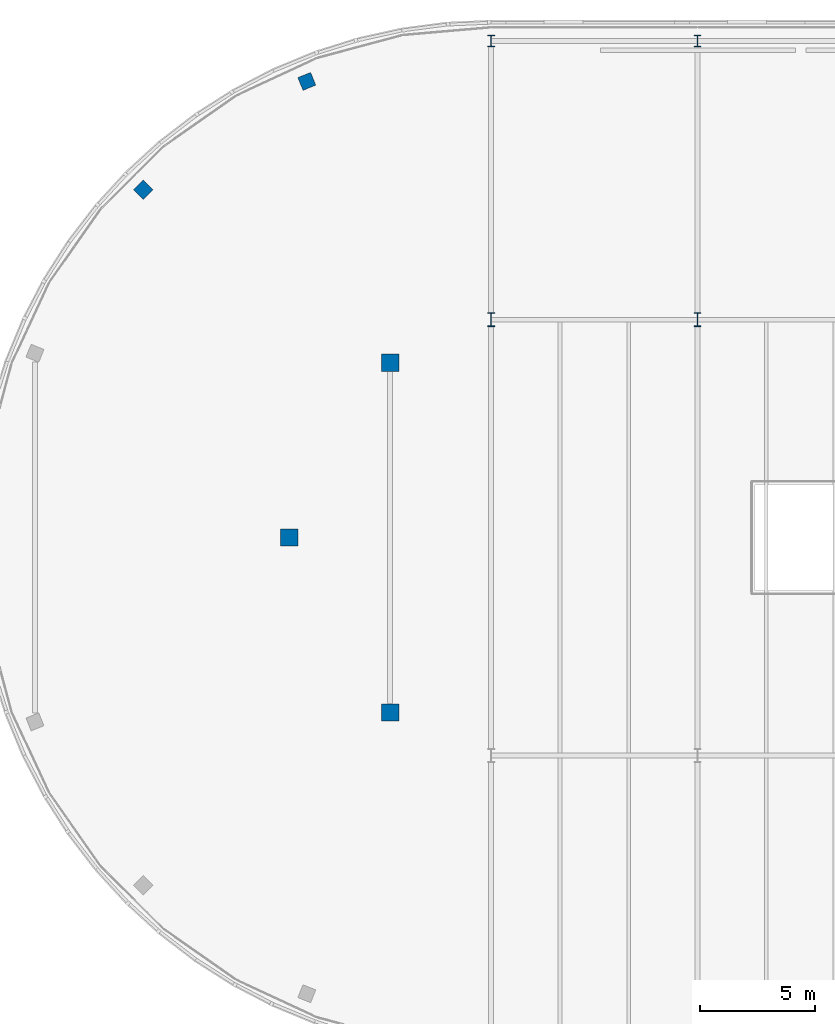
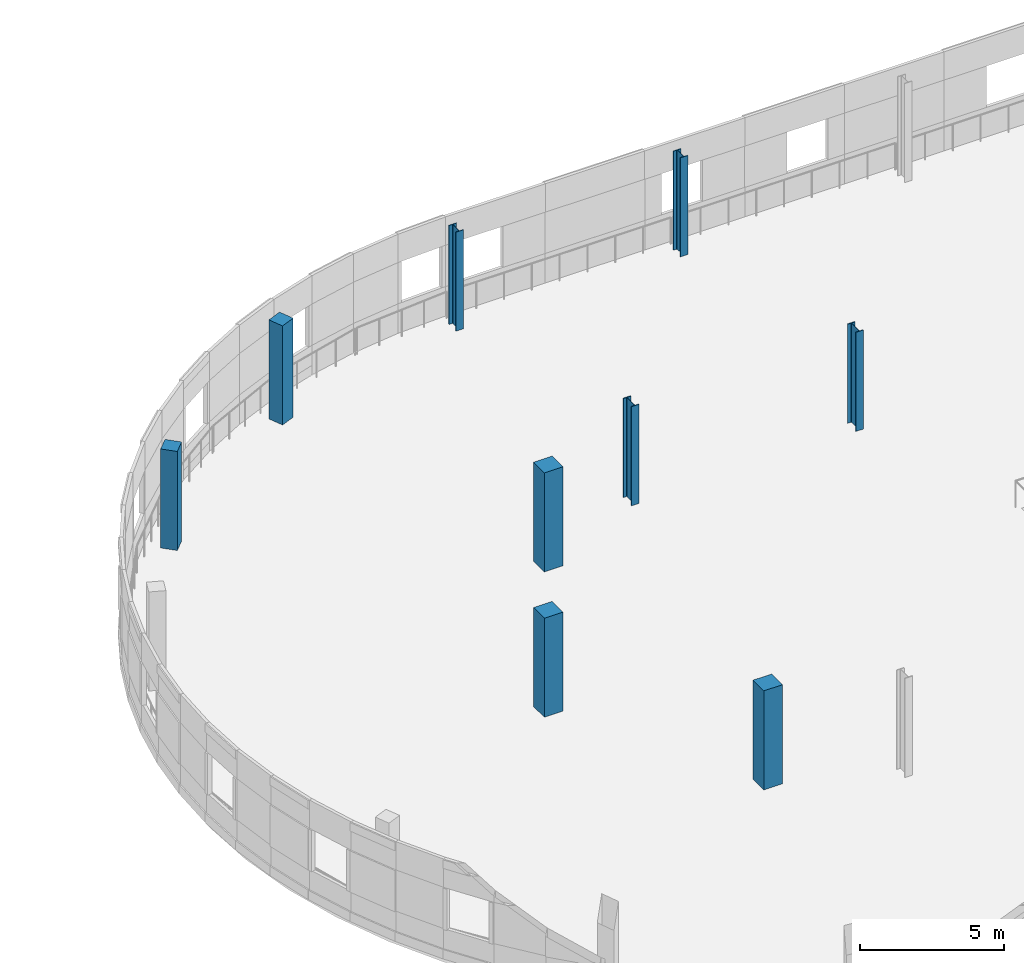
# One storey, part 8 of 132: 9 columns.
"""IFC4 building model written with IfcOpenShell, lengths in metres."""

import ifcopenshell
import ifcopenshell.guid

model = None  # the IFC model being written
_history = None  # IfcOwnerHistory: only IFC2X3 demands one
_inside = {}  # id of a spatial element -> (the spatial element, [elements in it])
_under = {}  # id of a project, library or spatial element -> (it, [spatial elements below it])
_declared = {}  # id of a project -> (the project, [libraries it declares])
_typed = {}  # id of a type object -> (the type object, [elements of that type])
_made_of = {}  # id of a material, layer set ... -> (it, [elements and type objects made of it])


def new_model(schema):
    """Start an empty IFC model of exactly this schema.

    Asked for "IFC4X3", IfcOpenShell would pick the latest addendum, in which some entities
    have other attributes; the version numbers below select the first issue.
    IFC2X3 requires an IfcOwnerHistory on every rooted entity: one is made here for all.
    """
    global model, _history
    if schema == "IFC4X3":
        model = ifcopenshell.file(schema_version=(4, 3, 0, 0))
    else:
        model = ifcopenshell.file(schema=schema)
    _inside.clear()
    _under.clear()
    _declared.clear()
    _typed.clear()
    _made_of.clear()
    _history = None
    if model.schema == "IFC2X3":
        org = make("IfcOrganization", Name="unknown")
        user = make(
            "IfcPersonAndOrganization",
            ThePerson=make("IfcPerson", FamilyName="unknown"),
            TheOrganization=org,
        )
        app = make(
            "IfcApplication",
            ApplicationDeveloper=org,
            Version="unknown",
            ApplicationFullName="unknown",
            ApplicationIdentifier="unknown",
        )
        _history = make(
            "IfcOwnerHistory",
            OwningUser=user,
            OwningApplication=app,
            ChangeAction="ADDED",
            CreationDate=0,
        )
    return model


def make(cls, **values):
    """One entity of the class cls with the attributes given. An attribute that is None is left unset."""
    return model.create_entity(
        cls, **{name: value for name, value in values.items() if value is not None}
    )


def rooted(cls, **values):
    """An entity with a GlobalId (a new one), such as an element, a storey or a relation."""
    return make(cls, GlobalId=ifcopenshell.guid.new(), OwnerHistory=_history, **values)


def si_unit(unit_type, name, prefix=None):
    """IfcSIUnit, for example si_unit("LENGTHUNIT", "METRE", prefix="MILLI")."""
    return make("IfcSIUnit", UnitType=unit_type, Prefix=prefix, Name=name)


def assignment(units):
    """IfcUnitAssignment: the units of a project."""
    return None if units is None else make("IfcUnitAssignment", Units=units)


def point(xyz):
    """IfcCartesianPoint."""
    return None if xyz is None else make("IfcCartesianPoint", Coordinates=xyz)


def direction(xyz):
    """IfcDirection."""
    return None if xyz is None else make("IfcDirection", DirectionRatios=xyz)


def frame(location, z_axis=None, x_axis=None):
    """IfcAxis2Placement3D, a coordinate frame: its origin and axes. An axis left out is left unset."""
    return make(
        "IfcAxis2Placement3D",
        Location=point(location),
        Axis=direction(z_axis),
        RefDirection=direction(x_axis),
    )


def frame_2d(location, x_axis=None):
    """IfcAxis2Placement2D, a coordinate frame in the plane: its origin and x axis."""
    return make(
        "IfcAxis2Placement2D", Location=point(location), RefDirection=direction(x_axis)
    )


def origin():
    """The frame at (0, 0, 0) with its axes left unset."""
    return frame((0.0, 0.0, 0.0))


def origin_2d():
    """The frame at (0, 0) in the plane with its x axis left unset."""
    return frame_2d((0.0, 0.0))


def place(relative_to, where):
    """IfcLocalPlacement: puts the frame where relative to a parent placement (None: the world)."""
    return make(
        "IfcLocalPlacement", PlacementRelTo=relative_to, RelativePlacement=where
    )


def context(
    kind, dimensions, precision=None, world=None, true_north=None, identifier=None
):
    """IfcGeometricRepresentationContext, for example the 3D "Model" context."""
    return make(
        "IfcGeometricRepresentationContext",
        ContextIdentifier=identifier,
        ContextType=kind,
        CoordinateSpaceDimension=dimensions,
        Precision=precision,
        WorldCoordinateSystem=world,
        TrueNorth=true_north,
    )


def subcontext(parent, identifier, kind, view, scale=None):
    """IfcGeometricRepresentationSubContext, for example "Body" below "Model"."""
    return make(
        "IfcGeometricRepresentationSubContext",
        ContextIdentifier=identifier,
        ContextType=kind,
        ParentContext=parent,
        TargetScale=scale,
        TargetView=view,
    )


def project(units=None, contexts=None):
    """IfcProject with its units and contexts."""
    return rooted(
        "IfcProject",
        Name="project",
        RepresentationContexts=contexts,
        UnitsInContext=assignment(units),
    )


def spatial(cls, under=None, at=None, **own):
    """A site, building, storey or space (cls), placed at a placement, below another one or the project."""
    s = rooted(cls, ObjectPlacement=at, **own)
    if under is not None:
        _under.setdefault(under.id(), (under, []))[1].append(s)
    return s


def profile(cls, at=None, kind="AREA", **sizes):
    """A parametric profile (cls). Its sizes go by their IFC names, for example OverallWidth=200.0."""
    return make(cls, ProfileType=kind, Position=at, **sizes)


def rectangle(**sizes):
    """IfcRectangleProfileDef."""
    return profile("IfcRectangleProfileDef", **sizes)


def i_section(**sizes):
    """IfcIShapeProfileDef."""
    return profile("IfcIShapeProfileDef", **sizes)


def extrude(swept, where, along, depth):
    """IfcExtrudedAreaSolid: the profile swept, set in the frame where, extruded along a direction by depth."""
    return make(
        "IfcExtrudedAreaSolid",
        SweptArea=swept,
        Position=where,
        ExtrudedDirection=direction(along),
        Depth=depth,
    )


def shape(context_of_items, identifier, shape_type, items):
    """IfcShapeRepresentation: the items that make up one representation, for example the "Body"."""
    return make(
        "IfcShapeRepresentation",
        ContextOfItems=context_of_items,
        RepresentationIdentifier=identifier,
        RepresentationType=shape_type,
        Items=items,
    )


def material(Name=None, Category=None):
    """IfcMaterial."""
    return make("IfcMaterial", Name=Name, Category=Category)


def material_profile(
    of_material, cross_section, Name=None, Category=None, Priority=None
):
    """IfcMaterialProfile: a cross section and its material."""
    return make(
        "IfcMaterialProfile",
        Name=Name,
        Material=of_material,
        Profile=cross_section,
        Priority=Priority,
        Category=Category,
    )


def profile_set(profiles, Name=None, composite=None):
    """IfcMaterialProfileSet."""
    return make(
        "IfcMaterialProfileSet",
        Name=Name,
        MaterialProfiles=profiles,
        CompositeProfile=composite,
    )


def made_of(thing, what):
    """Note that an element or type object is made of a material, layer set ...; save() writes the relation."""
    if what is not None:
        _made_of.setdefault(what.id(), (what, []))[1].append(thing)
    return thing


def type_object(cls, material=None, **own):
    """A type object (cls), such as IfcWallType, which elements share."""
    return made_of(rooted(cls, **own), material)


def element(
    cls,
    number,
    at=None,
    inside=None,
    cuts=None,
    type_object=None,
    material=None,
    context=None,
    identifier="Body",
    shape_type=None,
    held_by="IfcProductDefinitionShape",
    body=None,
    shapes=None,
    **own,
):
    """One element of the class cls, such as IfcWall. Its Tag is "e" and its number.

    at: its placement. inside: the storey or other place that contains it. cuts: it is an
    opening in that element (IfcRelVoidsElement). A single representation is given by context,
    identifier, shape_type and body (its items); several are given by shapes. held_by: the class
    of the entity that holds the representations. save() writes the other relations.
    """
    e = rooted(cls, Tag="e%d" % number, ObjectPlacement=at, **own)
    if body is not None:
        shapes = [shape(context, identifier, shape_type, body)]
    if shapes is not None:
        e.Representation = make(held_by, Representations=shapes)
    if inside is not None:
        _inside.setdefault(inside.id(), (inside, []))[1].append(e)
    if cuts is not None:
        rooted(
            "IfcRelVoidsElement", RelatingBuildingElement=cuts, RelatedOpeningElement=e
        )
    if type_object is not None:
        _typed.setdefault(type_object.id(), (type_object, []))[1].append(e)
    return made_of(e, material)


def aggregate(whole, parts):
    """IfcRelAggregates: a whole, such as a stair, and the parts it consists of."""
    return rooted("IfcRelAggregates", RelatingObject=whole, RelatedObjects=parts)


def save(model, path):
    """Write the relations noted so far, then the file.

    IfcRelAggregates (storeys below a building ...), IfcRelContainedInSpatialStructure (elements
    in a storey), IfcRelDefinesByType, IfcRelAssociatesMaterial and IfcRelDeclares: one each for
    every whole, place, type object, material and project.
    """
    for whole, parts in _under.values():
        aggregate(whole, parts)
    for where, things in _inside.values():
        rooted(
            "IfcRelContainedInSpatialStructure",
            RelatedElements=things,
            RelatingStructure=where,
        )
    for kind, things in _typed.values():
        rooted("IfcRelDefinesByType", RelatedObjects=things, RelatingType=kind)
    for what, things in _made_of.values():
        rooted("IfcRelAssociatesMaterial", RelatedObjects=things, RelatingMaterial=what)
    for by, libraries in _declared.values():
        rooted("IfcRelDeclares", RelatingContext=by, RelatedDefinitions=libraries)
    model.write(path)


model = new_model("IFC4")

# Units and contexts
model_context = context("Model", 3, precision=1e-05, world=origin(), true_north=direction((0.0, 1.0)))
body_context = subcontext(model_context, "Body", "Model", "MODEL_VIEW")
ifc_project = project(units=[si_unit("LENGTHUNIT", "METRE"), si_unit("AREAUNIT", "SQUARE_METRE"), si_unit("VOLUMEUNIT", "CUBIC_METRE"), si_unit("PLANEANGLEUNIT", "RADIAN"), si_unit("MASSUNIT", "GRAM", prefix="KILO")], contexts=[model_context])

# Site, building, storey
site_placement = place(None, origin())
site = spatial("IfcSite", under=ifc_project, at=site_placement, CompositionType="ELEMENT")
building_placement = place(site_placement, origin())
building = spatial("IfcBuilding", under=site, at=building_placement, Name="Deido Ridge Mobility Hub", CompositionType="ELEMENT")
storey_placement = place(building_placement, frame((0.0, 0.0, 8.39990234375)))
storey = spatial("IfcBuildingStorey", under=building, at=storey_placement, Name="L02", CompositionType="ELEMENT", Elevation=8.39990234375)

# Columns
ifc_material_1 = material(Name="Steel S355J2 EN 10025-2", Category="steel")
ifc_material_profile_1 = material_profile(ifc_material_1, i_section(OverallWidth=0.300048828125, OverallDepth=0.5, WebThickness=0.014404296875, FlangeThickness=0.028076171875, FilletRadius=0.027099609375, at=origin_2d()), Name="HEB 500")
ifc_profile_set_1 = profile_set([ifc_material_profile_1], Name="Steel S355J2 EN 10025-2")
column_type_1 = type_object("IfcColumnType", Name="COL-HEB500", PredefinedType="COLUMN", material=ifc_profile_set_1)
for number, where, z_axis, x_axis, name in (
    (1, (45.0, 125.14990234375, 0.0), (0.0, 0.0, 1.0), (1.0, 0.0, 0.0), "Structural column C5"),
    (2, (54.0, 125.14990234375, 0.0), (0.0, 0.0, 1.0), (1.0, 0.0, 0.0), "Structural column C5"),
):
    element("IfcColumn", number, at=place(storey_placement, frame(where, z_axis=z_axis, x_axis=x_axis)), inside=storey, type_object=column_type_1, Name=name, PredefinedType="COLUMN", context=body_context, shape_type="SweptSolid", body=[
        extrude(i_section(OverallWidth=0.300048828125, OverallDepth=0.5, WebThickness=0.014404296875, FlangeThickness=0.028076171875, FilletRadius=0.027099609375, at=origin_2d()), origin(), (0.0, 0.0, 1.0), 4.2001953125),
    ])
ifc_material_profile_2 = material_profile(ifc_material_1, i_section(OverallWidth=0.300048828125, OverallDepth=0.60009765625, WebThickness=0.015380859375, FlangeThickness=0.030029296875, FilletRadius=0.027099609375, at=origin_2d()), Name="HEB 600")
ifc_profile_set_2 = profile_set([ifc_material_profile_2], Name="Steel S355J2 EN 10025-2")
column_type_2 = type_object("IfcColumnType", Name="COL-HEB600", PredefinedType="COLUMN", material=ifc_profile_set_2)
for number, where, z_axis, x_axis, name in (
    (3, (45.0, 113.0, 0.0), (0.0, 0.0, 1.0), (1.0, 0.0, 0.0), "Structural column C4"),
    (4, (54.0, 113.0, 0.0), (0.0, 0.0, 1.0), (1.0, 0.0, 0.0), "Structural column C4"),
):
    element("IfcColumn", number, at=place(storey_placement, frame(where, z_axis=z_axis, x_axis=x_axis)), inside=storey, type_object=column_type_2, Name=name, PredefinedType="COLUMN", context=body_context, shape_type="SweptSolid", body=[
        extrude(i_section(OverallWidth=0.300048828125, OverallDepth=0.60009765625, WebThickness=0.015380859375, FlangeThickness=0.030029296875, FilletRadius=0.027099609375, at=origin_2d()), origin(), (0.0, 0.0, 1.0), 4.2001953125),
    ])
ifc_material_2 = material(Name="Concrete C40/50", Category="concrete")
ifc_material_profile_3 = material_profile(ifc_material_2, rectangle(XDim=0.60009765625, YDim=0.60009765625, at=origin_2d()), Name="RC COL 600x600")
ifc_profile_set_3 = profile_set([ifc_material_profile_3], Name="Concrete C40/50")
column_type_3 = type_object("IfcColumnType", Name="COL-RC600", PredefinedType="COLUMN", material=ifc_profile_set_3)
for number, where, z_axis, x_axis, name in (
    (5, (36.964599609375, 123.38818359375, 0.0), (0.0, 0.0, 1.0), (-0.374606593416, 0.927183854567, 0.0), "Structural column RC2"),
    (6, (29.83251953125, 118.66748046875, 0.0), (0.0, 0.0, 1.0), (-0.707106781187, 0.707106781187, 0.0), "Structural column RC2"),
):
    element("IfcColumn", number, at=place(storey_placement, frame(where, z_axis=z_axis, x_axis=x_axis)), inside=storey, type_object=column_type_3, Name=name, PredefinedType="COLUMN", context=body_context, shape_type="SweptSolid", body=[
        extrude(rectangle(XDim=0.60009765625, YDim=0.60009765625, at=origin_2d()), origin(), (0.0, 0.0, 1.0), 4.2001953125),
    ])
ifc_material_profile_4 = material_profile(ifc_material_2, rectangle(XDim=0.75, YDim=0.75, at=origin_2d()), Name="RC COL 750x750")
ifc_profile_set_4 = profile_set([ifc_material_profile_4], Name="Concrete C40/50")
column_type_4 = type_object("IfcColumnType", Name="COL-RC750", PredefinedType="COLUMN", material=ifc_profile_set_4)
for number, where, z_axis, x_axis, name in (
    (7, (40.60009765625, 111.12109375, 0.0), (0.0, 0.0, 1.0), (1.0, 0.0, 0.0), "Structural column RC1"),
    (8, (36.199951171875, 103.5, 0.0), (0.0, 0.0, 1.0), (1.0, 0.0, 0.0), "Structural column RC1"),
    (9, (40.60009765625, 95.87890625, 0.0), (0.0, 0.0, 1.0), (1.0, 0.0, 0.0), "Structural column RC1"),
):
    element("IfcColumn", number, at=place(storey_placement, frame(where, z_axis=z_axis, x_axis=x_axis)), inside=storey, type_object=column_type_4, Name=name, PredefinedType="COLUMN", context=body_context, shape_type="SweptSolid", body=[
        extrude(rectangle(XDim=0.75, YDim=0.75, at=origin_2d()), origin(), (0.0, 0.0, 1.0), 4.2001953125),
    ])

save(model, "model.ifc")
